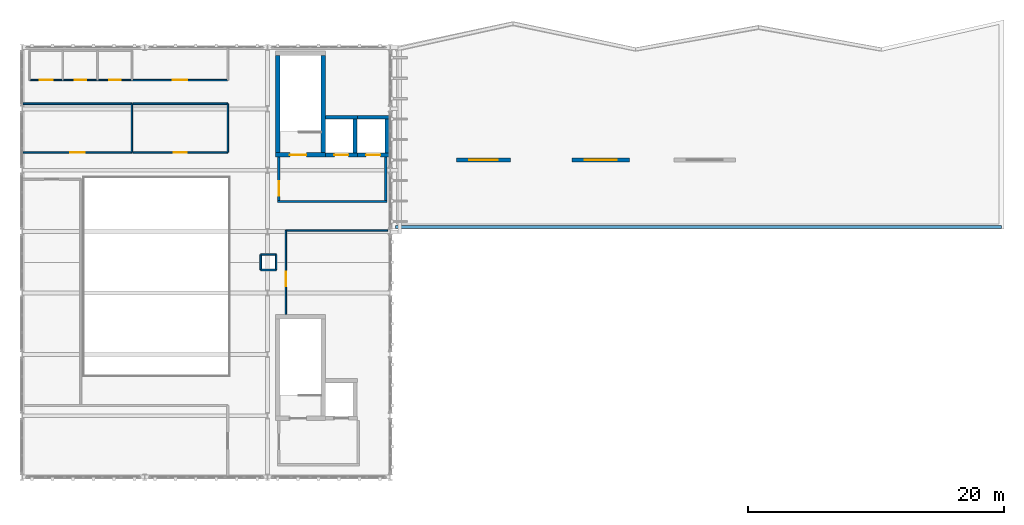
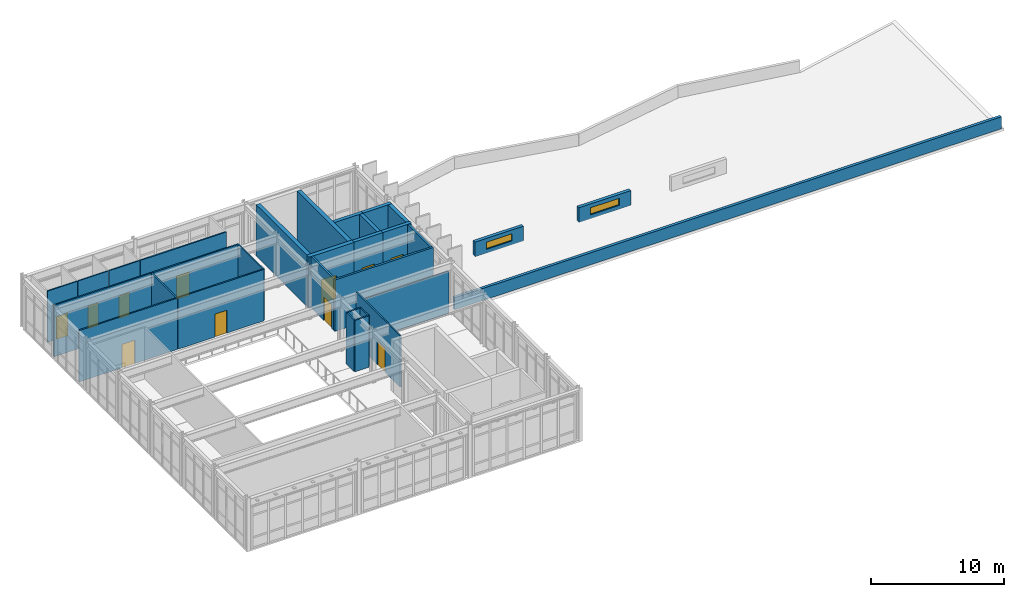
# One storey, part 14 of 16: 31 walls, 11 doors, 2 windows, 13 openings.
"""IFC4 building model written with IfcOpenShell, lengths in metres."""

from ifc_helpers import new_model, si_unit, direction, frame, frame_2d, origin, place, context, subcontext, project, spatial, rectangle, extrude, material, layer, layer_set, type_object, element, fill, save


model = new_model("IFC4")

# Units and contexts
model_context = context("Model", 3, precision=1e-05, world=origin(), true_north=direction((0.0, 1.0)))
body_context = subcontext(model_context, "Body", "Model", "MODEL_VIEW")
ifc_project = project(units=[si_unit("LENGTHUNIT", "METRE"), si_unit("AREAUNIT", "SQUARE_METRE"), si_unit("VOLUMEUNIT", "CUBIC_METRE"), si_unit("PLANEANGLEUNIT", "RADIAN"), si_unit("MASSUNIT", "GRAM", prefix="KILO")], contexts=[model_context])

# Site, building, storey
site_placement = place(None, origin())
site = spatial("IfcSite", under=ifc_project, at=site_placement, CompositionType="ELEMENT")
building_placement = place(site_placement, origin())
building = spatial("IfcBuilding", under=site, at=building_placement, Name="Nordkorset Police Headquarters", CompositionType="ELEMENT")
storey_placement = place(building_placement, frame((0.0, 0.0, 31.14990234375)))
storey = spatial("IfcBuildingStorey", under=building, at=storey_placement, Name="L07", CompositionType="ELEMENT", Elevation=31.14990234375)

# Wall
ifc_material_1 = material(Name="Gypsum board", Category="gypsum")
ifc_layer_1 = layer(ifc_material_1, 0.179931640625, Name="Gypsum board")
ifc_layer_set_1 = layer_set([ifc_layer_1], Name="Gypsum board")
wall_type_1 = type_object("IfcWallType", Name="Wall_Comp_180", PredefinedType="PARTITIONING", material=ifc_layer_set_1)
wall_1_placement = place(storey_placement, frame((20.0, 104.760009765625, 0.0), z_axis=(0.0, 0.0, 1.0), x_axis=(1.0, 0.0, 0.0)))
element("IfcWall", 1, at=wall_1_placement, inside=storey, type_object=wall_type_1, Name="Firefighting Lobby EI 60 Wall K1 L07 S", PredefinedType="PARTITIONING", context=body_context, shape_type="SweptSolid", body=[
    extrude(rectangle(XDim=8.550048828125, YDim=0.179931640625, at=frame_2d((4.27490234375, 0.0))), origin(), (0.0, 0.0, 1.0), 4.710205078125),
])

# Wall, opening, door
wall_2_placement = place(storey_placement, frame((20.090087890625, 104.85009765625, 0.0), z_axis=(0.0, 0.0, 1.0), x_axis=(0.0, 1.0, 0.0)))
wall_2 = element("IfcWall", 2, at=wall_2_placement, inside=storey, type_object=wall_type_1, Name="Firefighting Lobby EI 60 Wall K1 L07 W", PredefinedType="PARTITIONING", context=body_context, shape_type="SweptSolid", body=[
    extrude(rectangle(XDim=3.375, YDim=0.179931640625, at=frame_2d((1.6875, 0.0))), origin(), (0.0, 0.0, 1.0), 4.710205078125),
])
opening_1_placement = place(wall_2_placement, frame((0.35009765625, 0.0, 0.0)))
opening_1 = element("IfcOpeningElement", 3, at=opening_1_placement, cuts=wall_2, Name="Opening DR-01", PredefinedType="OPENING", context=body_context, shape_type="SweptSolid", body=[
    extrude(rectangle(XDim=1.14990234375, YDim=2.14990234375, at=frame_2d((0.574951171875, 1.074951171875))), frame((0.0, 0.10009765625, 0.0), z_axis=(0.0, -1.0, 0.0), x_axis=(1.0, 0.0, 0.0)), (0.0, 0.0, 1.0), 0.199951171875),
])
ifc_material_2 = material(Name="Steel S355J2", Category="steel")
door_type_1 = type_object("IfcDoorType", Name="Door_LobbySingle_1150x2150", OperationType="NOTDEFINED", PredefinedType="DOOR", material=ifc_material_2)
door_1_placement = place(opening_1_placement, origin())
door_1 = element("IfcDoor", 4, at=door_1_placement, inside=storey, type_object=door_type_1, Name="Firefighting Lobby Smoke Door K1 L07 W", OperationType="SINGLE_SWING_LEFT", OverallHeight=2.14990234375, OverallWidth=1.14990234375, PredefinedType="DOOR", context=body_context, shape_type="SweptSolid", body=[
    extrude(rectangle(XDim=1.14990234375, YDim=2.14990234375, at=frame_2d((0.574951171875, 1.074951171875))), frame((0.0, 0.02490234375, 0.0), z_axis=(0.0, -1.0, 0.0), x_axis=(1.0, 0.0, 0.0)), (0.0, 0.0, 1.0), 0.050048828125),
])
fill(opening_1, door_1)

# Wall
wall_3_placement = place(storey_placement, frame((28.4599609375, 104.85009765625, 0.0), z_axis=(0.0, 0.0, 1.0), x_axis=(0.0, 1.0, 0.0)))
element("IfcWall", 5, at=wall_3_placement, inside=storey, type_object=wall_type_1, Name="Firefighting Lobby EI 60 Wall K1 L07 E", PredefinedType="PARTITIONING", context=body_context, shape_type="SweptSolid", body=[
    extrude(rectangle(XDim=3.375, YDim=0.179931640625, at=frame_2d((1.6875, 0.0))), origin(), (0.0, 0.0, 1.0), 4.710205078125),
])

# Wall, opening, door
ifc_material_3 = material(Name="Concrete C35/45", Category="concrete")
ifc_layer_2 = layer(ifc_material_3, 0.35009765625, Name="Concrete C35/45")
ifc_layer_set_2 = layer_set([ifc_layer_2], Name="Concrete C35/45")
wall_type_2 = type_object("IfcWallType", Name="Wall_CoreShear_350", PredefinedType="SHEAR", material=ifc_layer_set_2)
wall_4_placement = place(storey_placement, frame((19.824951171875, 108.39990234375, 0.0), z_axis=(0.0, 0.0, 1.0), x_axis=(1.0, 0.0, 0.0)))
wall_4 = element("IfcWall", 6, at=wall_4_placement, inside=storey, type_object=wall_type_2, Name="Core K1 Stair Shaft South Shear Wall L07", PredefinedType="SHEAR", context=body_context, shape_type="SweptSolid", body=[
    extrude(rectangle(XDim=3.900146484375, YDim=0.35009765625, at=frame_2d((1.9501953125, 0.0))), origin(), (0.0, 0.0, 1.0), 4.710205078125),
])
opening_2_placement = place(wall_4_placement, frame((1.125, 0.0, 0.0)))
opening_2 = element("IfcOpeningElement", 7, at=opening_2_placement, cuts=wall_4, Name="Opening DR-20", PredefinedType="OPENING", context=body_context, shape_type="SweptSolid", body=[
    extrude(rectangle(XDim=1.300048828125, YDim=2.14990234375, at=frame_2d((0.64990234375, 1.074951171875))), frame((0.0, 0.18505859375, 0.0), z_axis=(0.0, -1.0, 0.0), x_axis=(1.0, 0.0, 0.0)), (0.0, 0.0, 1.0), 0.3701171875),
])
ifc_material_4 = material(Name="Steel S355J2", Category="steel")
door_type_2 = type_object("IfcDoorType", Name="Door_Stair_1300x2150", OperationType="NOTDEFINED", PredefinedType="DOOR", material=ifc_material_4)
door_2_placement = place(opening_2_placement, frame((1.300048828125, 0.0, 0.0), z_axis=(0.0, 0.0, 1.0), x_axis=(-1.0, 0.0, 0.0)))
door_2 = element("IfcDoor", 8, at=door_2_placement, inside=storey, type_object=door_type_2, Name="Protected Stair Fire Door ST-01 L07", OperationType="SINGLE_SWING_RIGHT", OverallHeight=2.14990234375, OverallWidth=1.300048828125, PredefinedType="DOOR", context=body_context, shape_type="SweptSolid", body=[
    extrude(rectangle(XDim=1.300048828125, YDim=2.14990234375, at=frame_2d((0.64990234375, 1.074951171875))), frame((0.0, 0.02490234375, 0.0), z_axis=(0.0, -1.0, 0.0), x_axis=(1.0, 0.0, 0.0)), (0.0, 0.0, 1.0), 0.050048828125),
])
fill(opening_2, door_2)

# Walls
for number, where, z_axis, x_axis, name in (
    (9, (20.0, 108.574951171875, 0.0), (0.0, 0.0, 1.0), (0.0, 1.0, 0.0), "Core K1 Stair Shaft West Shear Wall L07"),
    (10, (23.550048828125, 108.574951171875, 0.0), (0.0, 0.0, 1.0), (0.0, 1.0, 0.0), "Core K1 Stair Shaft East Shear Wall L07"),
):
    element("IfcWall", number, at=place(storey_placement, frame(where, z_axis=z_axis, x_axis=x_axis)), inside=storey, type_object=wall_type_2, Name=name, PredefinedType="SHEAR", context=body_context, shape_type="SweptSolid", body=[
        extrude(rectangle(XDim=7.60009765625, YDim=0.35009765625, at=frame_2d((3.800048828125, 0.0))), origin(), (0.0, 0.0, 1.0), 4.710205078125),
    ])

# Wall, opening, window
ifc_material_5 = material(Name="Precast concrete C40/50", Category="concrete")
ifc_layer_3 = layer(ifc_material_5, 0.280029296875, Name="Precast concrete C40/50")
ifc_layer_set_3 = layer_set([ifc_layer_3], Name="Precast concrete C40/50")
wall_type_3 = type_object("IfcWallType", Name="Wall_ExtSpandrel_280", PredefinedType="SOLIDWALL", material=ifc_layer_set_3)
wall_5_placement = place(storey_placement, frame((34.0, 108.0, 0.0), z_axis=(0.0, 0.0, 1.0), x_axis=(1.0, 0.0, 0.0)))
wall_5 = element("IfcWall", 11, at=wall_5_placement, inside=storey, type_object=wall_type_3, Name="Roof Monitor Lantern Curb SKY-V2-1", PredefinedType="SOLIDWALL", context=body_context, shape_type="SweptSolid", body=[
    extrude(rectangle(XDim=4.199951171875, YDim=0.280029296875, at=frame_2d((2.10009765625, 0.0))), origin(), (0.0, 0.0, 1.0), 1.35009765625),
])
opening_3_placement = place(wall_5_placement, frame((1.0, 0.0, 0.35009765625)))
opening_3 = element("IfcOpeningElement", 12, at=opening_3_placement, cuts=wall_5, Name="Opening SK-02", PredefinedType="OPENING", context=body_context, shape_type="SweptSolid", body=[
    extrude(rectangle(XDim=2.199951171875, YDim=0.64990234375, at=frame_2d((1.10009765625, 0.324951171875))), frame((0.0, 0.14990234375, 0.0), z_axis=(0.0, -1.0, 0.0), x_axis=(1.0, 0.0, 0.0)), (0.0, 0.0, 1.0), 0.300048828125),
])
ifc_material_6 = material(Name="Low-iron triple glazing", Category="glass")
window_type_1 = type_object("IfcWindowType", Name="Skylight_2200x650", PartitioningType="SINGLE_PANEL", PredefinedType="SKYLIGHT", material=ifc_material_6)
window_1_placement = place(opening_3_placement, origin())
window_1 = element("IfcWindow", 13, at=window_1_placement, inside=storey, type_object=window_type_1, Name="Triple-Glazed Roof Monitor Skylight SKY-V2-1", OverallHeight=0.64990234375, OverallWidth=2.199951171875, PartitioningType="SINGLE_PANEL", PredefinedType="SKYLIGHT", context=body_context, shape_type="SweptSolid", body=[
    extrude(rectangle(XDim=2.199951171875, YDim=0.64990234375, at=frame_2d((1.10009765625, 0.324951171875))), frame((0.0, 0.030029296875, 0.0), z_axis=(0.0, -1.0, 0.0), x_axis=(1.0, 0.0, 0.0)), (0.0, 0.0, 1.0), 0.06005859375),
])
fill(opening_3, window_1)

wall_6_placement = place(storey_placement, frame((43.0, 108.0, 0.0), z_axis=(0.0, 0.0, 1.0), x_axis=(1.0, 0.0, 0.0)))
wall_6 = element("IfcWall", 14, at=wall_6_placement, inside=storey, type_object=wall_type_3, Name="Roof Monitor Lantern Curb SKY-V2-2", PredefinedType="SOLIDWALL", context=body_context, shape_type="SweptSolid", body=[
    extrude(rectangle(XDim=4.5, YDim=0.280029296875, at=frame_2d((2.25, 0.0))), origin(), (0.0, 0.0, 1.0), 1.35009765625),
])
opening_4_placement = place(wall_6_placement, frame((1.0, 0.0, 0.35009765625)))
opening_4 = element("IfcOpeningElement", 15, at=opening_4_placement, cuts=wall_6, Name="Opening SK-03", PredefinedType="OPENING", context=body_context, shape_type="SweptSolid", body=[
    extrude(rectangle(XDim=2.5, YDim=0.64990234375, at=frame_2d((1.25, 0.324951171875))), frame((0.0, 0.14990234375, 0.0), z_axis=(0.0, -1.0, 0.0), x_axis=(1.0, 0.0, 0.0)), (0.0, 0.0, 1.0), 0.300048828125),
])
ifc_material_7 = material(Name="Low-iron triple glazing", Category="glass")
window_type_2 = type_object("IfcWindowType", Name="Skylight_2500x650", PartitioningType="SINGLE_PANEL", PredefinedType="SKYLIGHT", material=ifc_material_7)
window_2_placement = place(opening_4_placement, origin())
window_2 = element("IfcWindow", 16, at=window_2_placement, inside=storey, type_object=window_type_2, Name="Triple-Glazed Roof Monitor Skylight SKY-V2-2", OverallHeight=0.64990234375, OverallWidth=2.5, PartitioningType="SINGLE_PANEL", PredefinedType="SKYLIGHT", context=body_context, shape_type="SweptSolid", body=[
    extrude(rectangle(XDim=2.5, YDim=0.64990234375, at=frame_2d((1.25, 0.324951171875))), frame((0.0, 0.030029296875, 0.0), z_axis=(0.0, -1.0, 0.0), x_axis=(1.0, 0.0, 0.0)), (0.0, 0.0, 1.0), 0.06005859375),
])
fill(opening_4, window_2)

# Wall
ifc_material_8 = material(Name="Precast concrete C40/50", Category="concrete")
ifc_layer_4 = layer(ifc_material_8, 0.239990234375, Name="Precast concrete C40/50")
ifc_layer_set_4 = layer_set([ifc_layer_4], Name="Precast concrete C40/50")
wall_type_4 = type_object("IfcWallType", Name="Wall_Parapet_240", PredefinedType="PARAPET", material=ifc_layer_set_4)
wall_7_placement = place(storey_placement, frame((29.199951171875, 102.75, 0.0), z_axis=(0.0, 0.0, 1.0), x_axis=(1.0, 0.0, 0.0)))
element("IfcWall", 17, at=wall_7_placement, inside=storey, type_object=wall_type_4, Name="Flat Roof Parapet Wall V2-L07-1", PredefinedType="PARAPET", context=body_context, shape_type="SweptSolid", body=[
    extrude(rectangle(XDim=47.400146484375, YDim=0.239990234375, at=frame_2d((23.7001953125, 0.0))), origin(), (0.0, 0.0, 1.0), 1.10009765625),
])

# Wall, opening, door
ifc_material_9 = material(Name="Gypsum board", Category="gypsum")
ifc_layer_5 = layer(ifc_material_9, 0.10009765625, Name="Gypsum board")
ifc_layer_set_5 = layer_set([ifc_layer_5], Name="Gypsum board")
wall_type_5 = type_object("IfcWallType", Name="Wall_Part_100", PredefinedType="PARTITIONING", material=ifc_layer_set_5)
wall_8_placement = place(storey_placement, frame((0.60009765625, 114.25, 0.0), z_axis=(0.0, 0.0, 1.0), x_axis=(1.0, 0.0, 0.0)))
wall_8 = element("IfcWall", 18, at=wall_8_placement, inside=storey, type_object=wall_type_5, Name="Interior Partition Wall Accessible WC L07W", PredefinedType="PARTITIONING", context=body_context, shape_type="SweptSolid", body=[
    extrude(rectangle(XDim=2.599853515625, YDim=0.10009765625, at=frame_2d((1.2998046875, 0.0))), origin(), (0.0, 0.0, 1.0), 4.710205078125),
])
opening_5_placement = place(wall_8_placement, frame((0.800048828125, 0.0, 0.0)))
opening_5 = element("IfcOpeningElement", 19, at=opening_5_placement, cuts=wall_8, Name="Opening DR-23", PredefinedType="OPENING", context=body_context, shape_type="SweptSolid", body=[
    extrude(rectangle(XDim=1.0, YDim=2.080078125, at=frame_2d((0.5, 1.0400390625))), frame((0.0, 0.06005859375, 0.0), z_axis=(0.0, -1.0, 0.0), x_axis=(1.0, 0.0, 0.0)), (0.0, 0.0, 1.0), 0.1201171875),
])
ifc_material_10 = material(Name="Glulam GL30c", Category="wood")
door_type_3 = type_object("IfcDoorType", Name="Door_WCAccess_1000x2080", OperationType="NOTDEFINED", PredefinedType="DOOR", material=ifc_material_10)
door_3_placement = place(opening_5_placement, origin())
door_3 = element("IfcDoor", 20, at=door_3_placement, inside=storey, type_object=door_type_3, Name="Interior Door Accessible WC L07W", OperationType="SINGLE_SWING_LEFT", OverallHeight=2.080078125, OverallWidth=1.0, PredefinedType="DOOR", context=body_context, shape_type="SweptSolid", body=[
    extrude(rectangle(XDim=1.0, YDim=2.080078125, at=frame_2d((0.5, 1.0400390625))), frame((0.0, 0.02490234375, 0.0), z_axis=(0.0, -1.0, 0.0), x_axis=(1.0, 0.0, 0.0)), (0.0, 0.0, 1.0), 0.050048828125),
])
fill(opening_5, door_3)

wall_9_placement = place(storey_placement, frame((3.2451171875, 114.25, 0.0), z_axis=(0.0, 0.0, 1.0), x_axis=(1.0, 0.0, 0.0)))
wall_9 = element("IfcWall", 21, at=wall_9_placement, inside=storey, type_object=wall_type_5, Name="Interior Partition Wall Staff Female WC L07W", PredefinedType="PARTITIONING", context=body_context, shape_type="SweptSolid", body=[
    extrude(rectangle(XDim=2.65478515625, YDim=0.10009765625, at=frame_2d((1.327392578125, 0.0))), origin(), (0.0, 0.0, 1.0), 4.710205078125),
])
opening_6_placement = place(wall_9_placement, frame((0.867431640625, 0.0, 0.0)))
opening_6 = element("IfcOpeningElement", 22, at=opening_6_placement, cuts=wall_9, Name="Opening DR-21", PredefinedType="OPENING", context=body_context, shape_type="SweptSolid", body=[
    extrude(rectangle(XDim=0.919921875, YDim=2.080078125, at=frame_2d((0.4599609375, 1.0400390625))), frame((0.0, 0.06005859375, 0.0), z_axis=(0.0, -1.0, 0.0), x_axis=(1.0, 0.0, 0.0)), (0.0, 0.0, 1.0), 0.1201171875),
])
ifc_material_11 = material(Name="Glulam GL30c", Category="wood")
door_type_4 = type_object("IfcDoorType", Name="Door_WCStaff_920x2080", OperationType="NOTDEFINED", PredefinedType="DOOR", material=ifc_material_11)
door_4_placement = place(opening_6_placement, frame((0.919921875, 0.0, 0.0), z_axis=(0.0, 0.0, 1.0), x_axis=(-1.0, 0.0, 0.0)))
door_4 = element("IfcDoor", 23, at=door_4_placement, inside=storey, type_object=door_type_4, Name="Interior Door Staff Female WC L07W", OperationType="SINGLE_SWING_RIGHT", OverallHeight=2.080078125, OverallWidth=0.919921875, PredefinedType="DOOR", context=body_context, shape_type="SweptSolid", body=[
    extrude(rectangle(XDim=0.919921875, YDim=2.080078125, at=frame_2d((0.4599609375, 1.0400390625))), frame((0.0, 0.02490234375, 0.0), z_axis=(0.0, -1.0, 0.0), x_axis=(1.0, 0.0, 0.0)), (0.0, 0.0, 1.0), 0.050048828125),
])
fill(opening_6, door_4)

wall_10_placement = place(storey_placement, frame((5.945068359375, 114.25, 0.0), z_axis=(0.0, 0.0, 1.0), x_axis=(1.0, 0.0, 0.0)))
wall_10 = element("IfcWall", 24, at=wall_10_placement, inside=storey, type_object=wall_type_5, Name="Interior Partition Wall Staff Male WC L07W", PredefinedType="PARTITIONING", context=body_context, shape_type="SweptSolid", body=[
    extrude(rectangle(XDim=2.655029296875, YDim=0.10009765625, at=frame_2d((1.32763671875, 0.0))), origin(), (0.0, 0.0, 1.0), 4.710205078125),
])
opening_7_placement = place(wall_10_placement, frame((0.867431640625, 0.0, 0.0)))
opening_7 = element("IfcOpeningElement", 25, at=opening_7_placement, cuts=wall_10, Name="Opening DR-21", PredefinedType="OPENING", context=body_context, shape_type="SweptSolid", body=[
    extrude(rectangle(XDim=0.919921875, YDim=2.080078125, at=frame_2d((0.4599609375, 1.0400390625))), frame((0.0, 0.06005859375, 0.0), z_axis=(0.0, -1.0, 0.0), x_axis=(1.0, 0.0, 0.0)), (0.0, 0.0, 1.0), 0.1201171875),
])
door_5_placement = place(opening_7_placement, origin())
door_5 = element("IfcDoor", 26, at=door_5_placement, inside=storey, type_object=door_type_4, Name="Interior Door Staff Male WC L07W", OperationType="SINGLE_SWING_LEFT", OverallHeight=2.080078125, OverallWidth=0.919921875, PredefinedType="DOOR", context=body_context, shape_type="SweptSolid", body=[
    extrude(rectangle(XDim=0.919921875, YDim=2.080078125, at=frame_2d((0.4599609375, 1.0400390625))), frame((0.0, 0.02490234375, 0.0), z_axis=(0.0, -1.0, 0.0), x_axis=(1.0, 0.0, 0.0)), (0.0, 0.0, 1.0), 0.050048828125),
])
fill(opening_7, door_5)

# Wall
ifc_material_12 = material(Name="Gypsum board", Category="gypsum")
ifc_layer_6 = layer(ifc_material_12, 0.1201171875, Name="Gypsum board")
ifc_layer_set_6 = layer_set([ifc_layer_6], Name="Gypsum board")
wall_type_6 = type_object("IfcWallType", Name="Wall_Part_120", PredefinedType="PARTITIONING", material=ifc_layer_set_6)
wall_11_placement = place(storey_placement, frame((28.60009765625, 102.5, 0.0), z_axis=(0.0, 0.0, 1.0), x_axis=(-1.0, 0.0, 0.0)))
element("IfcWall", 27, at=wall_11_placement, inside=storey, type_object=wall_type_6, Name="Interior Partition Wall Chief Constable Directorate Boardroom", PredefinedType="PARTITIONING", context=body_context, shape_type="SweptSolid", body=[
    extrude(rectangle(XDim=7.9501953125, YDim=0.1201171875, at=frame_2d((3.97509765625, 0.0))), origin(), (0.0, 0.0, 1.0), 3.89013671875),
])

# Wall, opening, door
wall_12_placement = place(storey_placement, frame((20.64990234375, 102.5, 0.0), z_axis=(0.0, 0.0, 1.0), x_axis=(0.0, -1.0, 0.0)))
wall_12 = element("IfcWall", 28, at=wall_12_placement, inside=storey, type_object=wall_type_6, Name="Interior Partition Wall Chief Constable Directorate Boardroom", PredefinedType="PARTITIONING", context=body_context, shape_type="SweptSolid", body=[
    extrude(rectangle(XDim=6.580078125, YDim=0.1201171875, at=frame_2d((3.2900390625, 0.0))), origin(), (0.0, 0.0, 1.0), 4.710205078125),
])
opening_8_placement = place(wall_12_placement, frame((3.219970703125, 0.0, 0.0)))
opening_8 = element("IfcOpeningElement", 29, at=opening_8_placement, cuts=wall_12, Name="Opening DR-02", PredefinedType="OPENING", context=body_context, shape_type="SweptSolid", body=[
    extrude(rectangle(XDim=1.139892578125, YDim=2.14990234375, at=frame_2d((0.56982421875, 1.074951171875))), frame((0.0, 0.070068359375, 0.0), z_axis=(0.0, -1.0, 0.0), x_axis=(1.0, 0.0, 0.0)), (0.0, 0.0, 1.0), 0.14013671875),
])
ifc_material_13 = material(Name="Glulam GL30c", Category="wood")
door_type_5 = type_object("IfcDoorType", Name="Door_Exec_1140x2150", OperationType="NOTDEFINED", PredefinedType="DOOR", material=ifc_material_13)
door_6_placement = place(opening_8_placement, frame((1.139892578125, 0.0, 0.0), z_axis=(0.0, 0.0, 1.0), x_axis=(-1.0, 0.0, 0.0)))
door_6 = element("IfcDoor", 30, at=door_6_placement, inside=storey, type_object=door_type_5, Name="Interior Door Chief Constable Directorate Boardroom", OperationType="SINGLE_SWING_RIGHT", OverallHeight=2.14990234375, OverallWidth=1.139892578125, PredefinedType="DOOR", context=body_context, shape_type="SweptSolid", body=[
    extrude(rectangle(XDim=1.139892578125, YDim=2.14990234375, at=frame_2d((0.56982421875, 1.074951171875))), frame((0.0, 0.02490234375, 0.0), z_axis=(0.0, -1.0, 0.0), x_axis=(1.0, 0.0, 0.0)), (0.0, 0.0, 1.0), 0.050048828125),
])
fill(opening_8, door_6)

wall_13_placement = place(storey_placement, frame((8.64501953125, 114.25, 0.0), z_axis=(0.0, 0.0, 1.0), x_axis=(1.0, 0.0, 0.0)))
wall_13 = element("IfcWall", 31, at=wall_13_placement, inside=storey, type_object=wall_type_6, Name="Interior Partition Wall Police Commissioner Suite", PredefinedType="PARTITIONING", context=body_context, shape_type="SweptSolid", body=[
    extrude(rectangle(XDim=7.455078125, YDim=0.1201171875, at=frame_2d((3.7275390625, 0.0))), origin(), (0.0, 0.0, 1.0), 4.710205078125),
])
opening_9_placement = place(wall_13_placement, frame((3.157470703125, 0.0, 0.0)))
opening_9 = element("IfcOpeningElement", 32, at=opening_9_placement, cuts=wall_13, Name="Opening DR-02", PredefinedType="OPENING", context=body_context, shape_type="SweptSolid", body=[
    extrude(rectangle(XDim=1.139892578125, YDim=2.14990234375, at=frame_2d((0.56982421875, 1.074951171875))), frame((0.0, 0.070068359375, 0.0), z_axis=(0.0, -1.0, 0.0), x_axis=(1.0, 0.0, 0.0)), (0.0, 0.0, 1.0), 0.14013671875),
])
door_7_placement = place(opening_9_placement, frame((1.139892578125, 0.0, 0.0), z_axis=(0.0, 0.0, 1.0), x_axis=(-1.0, 0.0, 0.0)))
door_7 = element("IfcDoor", 33, at=door_7_placement, inside=storey, type_object=door_type_5, Name="Interior Door Police Commissioner Suite", OperationType="SINGLE_SWING_RIGHT", OverallHeight=2.14990234375, OverallWidth=1.139892578125, PredefinedType="DOOR", context=body_context, shape_type="SweptSolid", body=[
    extrude(rectangle(XDim=1.139892578125, YDim=2.14990234375, at=frame_2d((0.56982421875, 1.074951171875))), frame((0.0, 0.02490234375, 0.0), z_axis=(0.0, -1.0, 0.0), x_axis=(1.0, 0.0, 0.0)), (0.0, 0.0, 1.0), 0.050048828125),
])
fill(opening_9, door_7)

wall_14_placement = place(storey_placement, frame((0.0849609375, 108.60009765625, 0.0), z_axis=(0.0, 0.0, 1.0), x_axis=(1.0, 0.0, 0.0)))
wall_14 = element("IfcWall", 34, at=wall_14_placement, inside=storey, type_object=wall_type_6, Name="Interior Partition Wall Deputy Police Commissioner Office", PredefinedType="PARTITIONING", context=body_context, shape_type="SweptSolid", body=[
    extrude(rectangle(XDim=8.51513671875, YDim=0.1201171875, at=frame_2d((4.257568359375, 0.0))), origin(), (0.0, 0.0, 1.0), 4.710205078125),
])
opening_10_placement = place(wall_14_placement, frame((3.6875, 0.0, 0.0)))
opening_10 = element("IfcOpeningElement", 35, at=opening_10_placement, cuts=wall_14, Name="Opening DR-02", PredefinedType="OPENING", context=body_context, shape_type="SweptSolid", body=[
    extrude(rectangle(XDim=1.139892578125, YDim=2.14990234375, at=frame_2d((0.56982421875, 1.074951171875))), frame((0.0, 0.070068359375, 0.0), z_axis=(0.0, -1.0, 0.0), x_axis=(1.0, 0.0, 0.0)), (0.0, 0.0, 1.0), 0.14013671875),
])
door_8_placement = place(opening_10_placement, frame((1.139892578125, 0.0, 0.0), z_axis=(0.0, 0.0, 1.0), x_axis=(-1.0, 0.0, 0.0)))
door_8 = element("IfcDoor", 36, at=door_8_placement, inside=storey, type_object=door_type_5, Name="Interior Door Deputy Police Commissioner Office", OperationType="SINGLE_SWING_RIGHT", OverallHeight=2.14990234375, OverallWidth=1.139892578125, PredefinedType="DOOR", context=body_context, shape_type="SweptSolid", body=[
    extrude(rectangle(XDim=1.139892578125, YDim=2.14990234375, at=frame_2d((0.56982421875, 1.074951171875))), frame((0.0, 0.02490234375, 0.0), z_axis=(0.0, -1.0, 0.0), x_axis=(1.0, 0.0, 0.0)), (0.0, 0.0, 1.0), 0.050048828125),
])
fill(opening_10, door_8)

# Walls
wall_15_placement = place(storey_placement, frame((8.60009765625, 108.60009765625, 0.0), z_axis=(0.0, 0.0, 1.0), x_axis=(0.0, 1.0, 0.0)))
element("IfcWall", 37, at=wall_15_placement, inside=storey, type_object=wall_type_6, Name="Interior Partition Wall Deputy Police Commissioner Office", PredefinedType="PARTITIONING", context=body_context, shape_type="SweptSolid", body=[
    extrude(rectangle(XDim=3.7998046875, YDim=0.1201171875, at=frame_2d((1.89990234375, 0.0))), origin(), (0.0, 0.0, 1.0), 4.710205078125),
])
wall_16_placement = place(storey_placement, frame((8.60009765625, 112.39990234375, 0.0), z_axis=(0.0, 0.0, 1.0), x_axis=(-1.0, 0.0, 0.0)))
element("IfcWall", 38, at=wall_16_placement, inside=storey, type_object=wall_type_6, Name="Interior Partition Wall Deputy Police Commissioner Office", PredefinedType="PARTITIONING", context=body_context, shape_type="SweptSolid", body=[
    extrude(rectangle(XDim=8.51513671875, YDim=0.1201171875, at=frame_2d((4.257568359375, 0.0))), origin(), (0.0, 0.0, 1.0), 4.710205078125),
])

# Wall, opening, door
wall_17_placement = place(storey_placement, frame((8.655029296875, 108.60009765625, 0.0), z_axis=(0.0, 0.0, 1.0), x_axis=(1.0, 0.0, 0.0)))
wall_17 = element("IfcWall", 39, at=wall_17_placement, inside=storey, type_object=wall_type_6, Name="Interior Partition Wall Chief Legal Counsel Suite", PredefinedType="PARTITIONING", context=body_context, shape_type="SweptSolid", body=[
    extrude(rectangle(XDim=7.445068359375, YDim=0.1201171875, at=frame_2d((3.72265625, 0.0))), origin(), (0.0, 0.0, 1.0), 4.710205078125),
])
opening_11_placement = place(wall_17_placement, frame((3.21240234375, 0.0, 0.0)))
opening_11 = element("IfcOpeningElement", 40, at=opening_11_placement, cuts=wall_17, Name="Opening DR-19", PredefinedType="OPENING", context=body_context, shape_type="SweptSolid", body=[
    extrude(rectangle(XDim=1.02001953125, YDim=2.10009765625, at=frame_2d((0.510009765625, 1.050048828125))), frame((0.0, 0.070068359375, 0.0), z_axis=(0.0, -1.0, 0.0), x_axis=(1.0, 0.0, 0.0)), (0.0, 0.0, 1.0), 0.14013671875),
])
ifc_material_14 = material(Name="Glulam GL30c", Category="wood")
door_type_6 = type_object("IfcDoorType", Name="Door_Office_1020x2100", OperationType="NOTDEFINED", PredefinedType="DOOR", material=ifc_material_14)
door_9_placement = place(opening_11_placement, origin())
door_9 = element("IfcDoor", 41, at=door_9_placement, inside=storey, type_object=door_type_6, Name="Interior Door Chief Legal Counsel Suite", OperationType="SINGLE_SWING_LEFT", OverallHeight=2.10009765625, OverallWidth=1.02001953125, PredefinedType="DOOR", context=body_context, shape_type="SweptSolid", body=[
    extrude(rectangle(XDim=1.02001953125, YDim=2.10009765625, at=frame_2d((0.510009765625, 1.050048828125))), frame((0.0, 0.02490234375, 0.0), z_axis=(0.0, -1.0, 0.0), x_axis=(1.0, 0.0, 0.0)), (0.0, 0.0, 1.0), 0.050048828125),
])
fill(opening_11, door_9)

# Walls
wall_18_placement = place(storey_placement, frame((16.10009765625, 108.60009765625, 0.0), z_axis=(0.0, 0.0, 1.0), x_axis=(0.0, 1.0, 0.0)))
element("IfcWall", 42, at=wall_18_placement, inside=storey, type_object=wall_type_6, Name="Interior Partition Wall Chief Legal Counsel Suite", PredefinedType="PARTITIONING", context=body_context, shape_type="SweptSolid", body=[
    extrude(rectangle(XDim=3.7998046875, YDim=0.1201171875, at=frame_2d((1.89990234375, 0.0))), origin(), (0.0, 0.0, 1.0), 4.710205078125),
])
wall_19_placement = place(storey_placement, frame((16.10009765625, 112.39990234375, 0.0), z_axis=(0.0, 0.0, 1.0), x_axis=(-1.0, 0.0, 0.0)))
element("IfcWall", 43, at=wall_19_placement, inside=storey, type_object=wall_type_6, Name="Interior Partition Wall Chief Legal Counsel Suite", PredefinedType="PARTITIONING", context=body_context, shape_type="SweptSolid", body=[
    extrude(rectangle(XDim=7.445068359375, YDim=0.1201171875, at=frame_2d((3.72265625, 0.0))), origin(), (0.0, 0.0, 1.0), 4.710205078125),
])
ifc_material_15 = material(Name="Gypsum board", Category="gypsum")
ifc_layer_7 = layer(ifc_material_15, 0.125, Name="Gypsum board")
ifc_layer_set_7 = layer_set([ifc_layer_7], Name="Gypsum board")
wall_type_7 = type_object("IfcWallType", Name="Wall_Riser_125", PredefinedType="PARTITIONING", material=ifc_layer_set_7)
wall_20_placement = place(storey_placement, frame((18.679931640625, 99.39990234375, 0.0), z_axis=(0.0, 0.0, 1.0), x_axis=(1.0, 0.0, 0.0)))
element("IfcWall", 44, at=wall_20_placement, inside=storey, type_object=wall_type_7, Name="Service Riser Enclosure RSR-V1 L07", PredefinedType="PARTITIONING", context=body_context, shape_type="SweptSolid", body=[
    extrude(rectangle(XDim=1.199951171875, YDim=0.125, at=frame_2d((0.60009765625, 0.0))), origin(), (0.0, 0.0, 1.0), 4.710205078125),
])
wall_21_placement = place(storey_placement, frame((19.8798828125, 99.39990234375, 0.0), z_axis=(0.0, 0.0, 1.0), x_axis=(0.0, 1.0, 0.0)))
element("IfcWall", 45, at=wall_21_placement, inside=storey, type_object=wall_type_7, Name="Service Riser Enclosure RSR-V1 L07", PredefinedType="PARTITIONING", context=body_context, shape_type="SweptSolid", body=[
    extrude(rectangle(XDim=1.2001953125, YDim=0.125, at=frame_2d((0.60009765625, 0.0))), origin(), (0.0, 0.0, 1.0), 4.710205078125),
])
wall_22_placement = place(storey_placement, frame((19.8798828125, 100.60009765625, 0.0), z_axis=(0.0, 0.0, 1.0), x_axis=(-1.0, 0.0, 0.0)))
element("IfcWall", 46, at=wall_22_placement, inside=storey, type_object=wall_type_7, Name="Service Riser Enclosure RSR-V1 L07", PredefinedType="PARTITIONING", context=body_context, shape_type="SweptSolid", body=[
    extrude(rectangle(XDim=1.199951171875, YDim=0.125, at=frame_2d((0.60009765625, 0.0))), origin(), (0.0, 0.0, 1.0), 4.710205078125),
])
wall_23_placement = place(storey_placement, frame((18.679931640625, 100.60009765625, 0.0), z_axis=(0.0, 0.0, 1.0), x_axis=(0.0, -1.0, 0.0)))
element("IfcWall", 47, at=wall_23_placement, inside=storey, type_object=wall_type_7, Name="Service Riser Enclosure RSR-V1 L07", PredefinedType="PARTITIONING", context=body_context, shape_type="SweptSolid", body=[
    extrude(rectangle(XDim=1.2001953125, YDim=0.125, at=frame_2d((0.60009765625, 0.0))), origin(), (0.0, 0.0, 1.0), 4.710205078125),
])

# Wall, opening, door
ifc_material_16 = material(Name="Concrete C35/45", Category="concrete")
ifc_layer_8 = layer(ifc_material_16, 0.300048828125, Name="Concrete C35/45")
ifc_layer_set_8 = layer_set([ifc_layer_8], Name="Concrete C35/45")
wall_type_8 = type_object("IfcWallType", Name="Wall_ShaftShear_300", PredefinedType="SHEAR", material=ifc_layer_set_8)
wall_24_placement = place(storey_placement, frame((23.72509765625, 108.39990234375, 0.0), z_axis=(0.0, 0.0, 1.0), x_axis=(1.0, 0.0, 0.0)))
wall_24 = element("IfcWall", 48, at=wall_24_placement, inside=storey, type_object=wall_type_8, Name="Lift Shaft LF-01 Front Shear Wall L07", PredefinedType="SHEAR", context=body_context, shape_type="SweptSolid", body=[
    extrude(rectangle(XDim=2.5, YDim=0.300048828125, at=frame_2d((1.25, 0.0))), origin(), (0.0, 0.0, 1.0), 4.710205078125),
])
opening_12_placement = place(wall_24_placement, frame((0.699951171875, 0.0, 0.0)))
opening_12 = element("IfcOpeningElement", 49, at=opening_12_placement, cuts=wall_24, Name="Opening LD-01", PredefinedType="OPENING", context=body_context, shape_type="SweptSolid", body=[
    extrude(rectangle(XDim=1.10009765625, YDim=2.10009765625, at=frame_2d((0.550048828125, 1.050048828125))), frame((0.0, 0.16015625, 0.0), z_axis=(0.0, -1.0, 0.0), x_axis=(1.0, 0.0, 0.0)), (0.0, 0.0, 1.0), 0.320068359375),
])
ifc_material_17 = material(Name="Steel S355J2", Category="steel")
door_type_7 = type_object("IfcDoorType", Name="Door_LiftLanding_1100x2100", OperationType="SLIDING_TO_LEFT", PredefinedType="DOOR", material=ifc_material_17)
door_10_placement = place(opening_12_placement, frame((1.10009765625, 0.0, 0.0), z_axis=(0.0, 0.0, 1.0), x_axis=(-1.0, 0.0, 0.0)))
door_10 = element("IfcDoor", 50, at=door_10_placement, inside=storey, type_object=door_type_7, Name="Lift Landing Sliding Door LF-01 L07", OperationType="SLIDING_TO_LEFT", OverallHeight=2.10009765625, OverallWidth=1.10009765625, PredefinedType="DOOR", context=body_context, shape_type="SweptSolid", body=[
    extrude(rectangle(XDim=1.10009765625, YDim=2.10009765625, at=frame_2d((0.550048828125, 1.050048828125))), frame((0.0, 0.02490234375, 0.0), z_axis=(0.0, -1.0, 0.0), x_axis=(1.0, 0.0, 0.0)), (0.0, 0.0, 1.0), 0.050048828125),
])
fill(opening_12, door_10)

# Walls
wall_25_placement = place(storey_placement, frame((23.72509765625, 111.35009765625, 0.0), z_axis=(0.0, 0.0, 1.0), x_axis=(1.0, 0.0, 0.0)))
element("IfcWall", 51, at=wall_25_placement, inside=storey, type_object=wall_type_8, Name="Lift Shaft LF-01 Rear Shear Wall L07", PredefinedType="SHEAR", context=body_context, shape_type="SweptSolid", body=[
    extrude(rectangle(XDim=2.5, YDim=0.300048828125, at=frame_2d((1.25, 0.0))), origin(), (0.0, 0.0, 1.0), 4.710205078125),
])
wall_26_placement = place(storey_placement, frame((26.050048828125, 108.550048828125, 0.0), z_axis=(0.0, 0.0, 1.0), x_axis=(0.0, 1.0, 0.0)))
element("IfcWall", 52, at=wall_26_placement, inside=storey, type_object=wall_type_8, Name="Lift Shaft LF-01 East Shear Wall L07", PredefinedType="SHEAR", context=body_context, shape_type="SweptSolid", body=[
    extrude(rectangle(XDim=2.64990234375, YDim=0.300048828125, at=frame_2d((1.324951171875, 0.0))), origin(), (0.0, 0.0, 1.0), 4.710205078125),
])

# Wall, opening, door
wall_27_placement = place(storey_placement, frame((26.22509765625, 108.39990234375, 0.0), z_axis=(0.0, 0.0, 1.0), x_axis=(1.0, 0.0, 0.0)))
wall_27 = element("IfcWall", 53, at=wall_27_placement, inside=storey, type_object=wall_type_8, Name="Lift Shaft LF-02 Front Shear Wall L07", PredefinedType="SHEAR", context=body_context, shape_type="SweptSolid", body=[
    extrude(rectangle(XDim=2.5, YDim=0.300048828125, at=frame_2d((1.25, 0.0))), origin(), (0.0, 0.0, 1.0), 4.710205078125),
])
opening_13_placement = place(wall_27_placement, frame((0.699951171875, 0.0, 0.0)))
opening_13 = element("IfcOpeningElement", 54, at=opening_13_placement, cuts=wall_27, Name="Opening LD-02", PredefinedType="OPENING", context=body_context, shape_type="SweptSolid", body=[
    extrude(rectangle(XDim=1.10009765625, YDim=2.10009765625, at=frame_2d((0.550048828125, 1.050048828125))), frame((0.0, 0.16015625, 0.0), z_axis=(0.0, -1.0, 0.0), x_axis=(1.0, 0.0, 0.0)), (0.0, 0.0, 1.0), 0.320068359375),
])
door_11_placement = place(opening_13_placement, frame((1.10009765625, 0.0, 0.0), z_axis=(0.0, 0.0, 1.0), x_axis=(-1.0, 0.0, 0.0)))
door_11 = element("IfcDoor", 55, at=door_11_placement, inside=storey, type_object=door_type_7, Name="Lift Landing Sliding Door LF-02 L07", OperationType="SLIDING_TO_LEFT", OverallHeight=2.10009765625, OverallWidth=1.10009765625, PredefinedType="DOOR", context=body_context, shape_type="SweptSolid", body=[
    extrude(rectangle(XDim=1.10009765625, YDim=2.10009765625, at=frame_2d((0.550048828125, 1.050048828125))), frame((0.0, 0.02490234375, 0.0), z_axis=(0.0, -1.0, 0.0), x_axis=(1.0, 0.0, 0.0)), (0.0, 0.0, 1.0), 0.050048828125),
])
fill(opening_13, door_11)

# Walls
wall_28_placement = place(storey_placement, frame((26.22509765625, 111.35009765625, 0.0), z_axis=(0.0, 0.0, 1.0), x_axis=(1.0, 0.0, 0.0)))
element("IfcWall", 56, at=wall_28_placement, inside=storey, type_object=wall_type_8, Name="Lift Shaft LF-02 Rear Shear Wall L07", PredefinedType="SHEAR", context=body_context, shape_type="SweptSolid", body=[
    extrude(rectangle(XDim=2.5, YDim=0.300048828125, at=frame_2d((1.25, 0.0))), origin(), (0.0, 0.0, 1.0), 4.710205078125),
])
wall_29_placement = place(storey_placement, frame((28.550048828125, 108.550048828125, 0.0), z_axis=(0.0, 0.0, 1.0), x_axis=(0.0, 1.0, 0.0)))
element("IfcWall", 57, at=wall_29_placement, inside=storey, type_object=wall_type_8, Name="Lift Shaft LF-02 East Shear Wall L07", PredefinedType="SHEAR", context=body_context, shape_type="SweptSolid", body=[
    extrude(rectangle(XDim=2.64990234375, YDim=0.300048828125, at=frame_2d((1.324951171875, 0.0))), origin(), (0.0, 0.0, 1.0), 4.710205078125),
])

save(model, "model.ifc")
